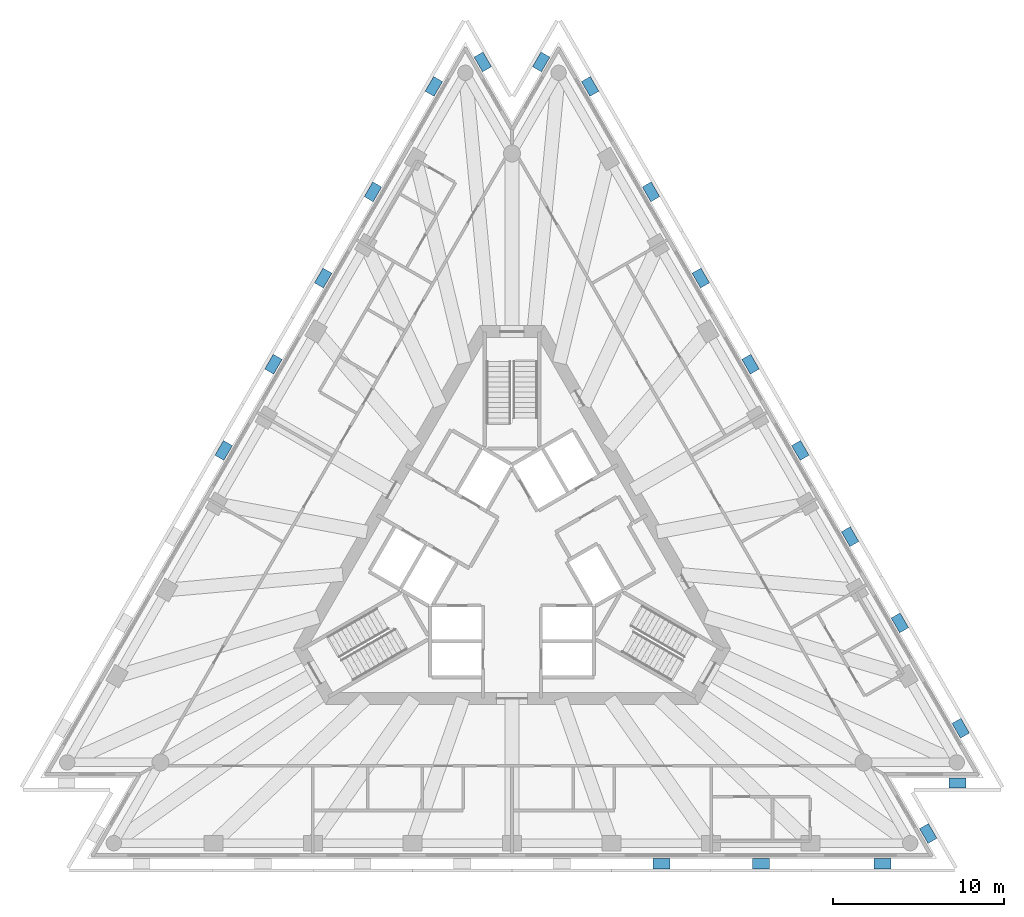
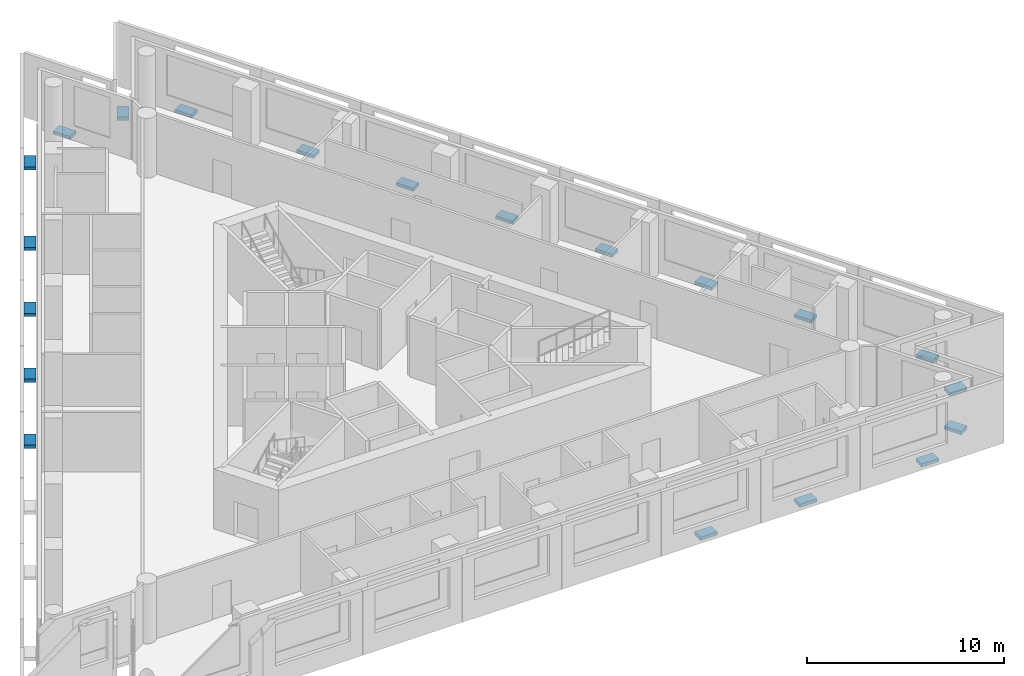
# One storey, part 8 of 10: 20 discrete accessories.
"""IFC4 building model written with IfcOpenShell, lengths in metres."""

from ifc_helpers import new_model, si_unit, direction, frame, origin, origin_2d, place, context, subcontext, project, spatial, rectangle, extrude, material, type_object, element, save


model = new_model("IFC4")

# Units and contexts
model_context = context("Model", 3, precision=1e-05, world=origin(), true_north=direction((0.0, 1.0)))
body_context = subcontext(model_context, "Body", "Model", "MODEL_VIEW")
ifc_project = project(units=[si_unit("LENGTHUNIT", "METRE"), si_unit("AREAUNIT", "SQUARE_METRE"), si_unit("VOLUMEUNIT", "CUBIC_METRE"), si_unit("PLANEANGLEUNIT", "RADIAN"), si_unit("MASSUNIT", "GRAM", prefix="KILO")], contexts=[model_context])

# Site, building, storey
site_placement = place(None, origin())
site = spatial("IfcSite", under=ifc_project, at=site_placement, CompositionType="ELEMENT")
building_placement = place(site_placement, origin())
building = spatial("IfcBuilding", under=site, at=building_placement, Name="Triada Interchange Tower", CompositionType="ELEMENT")
storey_placement = place(building_placement, frame((0.0, 0.0, 239.300048828125)))
storey = spatial("IfcBuildingStorey", under=building, at=storey_placement, Name="L56", CompositionType="ELEMENT", Elevation=239.300048828125)

# Discrete accessories
ifc_material = material(Name="Steel S355", Category="steel")
discrete_accessory_type = type_object("IfcDiscreteAccessoryType", Name="Steel bracket outer skin", PredefinedType="BRACKET", material=ifc_material)
for number, where, z_axis, x_axis, name in (
    (1, (-4.580078125, 27.716064453125, -0.27001953125), (0.0, 0.0, 1.0), (-0.866030360477, 0.499991414658, 0.0), "Bracket L56 01"),
    (2, (-8.14599609375, 21.5400390625, -0.27001953125), (0.0, 0.0, 1.0), (-0.866030360477, 0.499991414658, 0.0), "Bracket L56 02"),
    (3, (-11.06201171875, 16.489013671875, -0.27001953125), (0.0, 0.0, 1.0), (-0.866030360477, 0.499991414658, 0.0), "Bracket L56 03"),
    (4, (-13.97802734375, 11.43798828125, -0.27001953125), (0.0, 0.0, 1.0), (-0.866030360477, 0.499991414658, 0.0), "Bracket L56 04"),
    (5, (-16.89404296875, 6.385986328125, -0.27001953125), (0.0, 0.0, 1.0), (-0.866030360477, 0.499991414658, 0.0), "Bracket L56 05"),
    (6, (8.7490234375, -17.823974609375, -0.27001953125), (0.0, 0.0, 1.0), (0.0, -1.0, 0.0), "Bracket L56 16"),
    (7, (14.5810546875, -17.823974609375, -0.27001953125), (0.0, 0.0, 1.0), (0.0, -1.0, 0.0), "Bracket L56 17"),
    (8, (21.712890625, -17.823974609375, -0.27001953125), (0.0, 0.0, 1.0), (0.0, -1.0, 0.0), "Bracket L56 18"),
    (9, (24.388916015625, -16.05908203125, -0.27001953125), (0.0, 0.0, 1.0), (0.865981339585, 0.500076313667, 0.0), "Bracket L56 19"),
    (10, (26.10205078125, -13.093017578125, -0.27001953125), (0.0, 0.0, 1.0), (0.0, -1.0, 0.0), "Bracket L56 20"),
    (11, (26.29296875, -9.89208984375, -0.27001953125), (0.0, 0.0, 1.0), (0.866030360477, 0.499991414658, 0.0), "Bracket L56 21"),
    (12, (22.72705078125, -3.716064453125, -0.27001953125), (0.0, 0.0, 1.0), (0.866030360477, 0.499991414658, 0.0), "Bracket L56 22"),
    (13, (19.81103515625, 1.3349609375, -0.27001953125), (0.0, 0.0, 1.0), (0.866030360477, 0.499991414658, 0.0), "Bracket L56 23"),
    (14, (16.89404296875, 6.385986328125, -0.27001953125), (0.0, 0.0, 1.0), (0.866030360477, 0.499991414658, 0.0), "Bracket L56 24"),
    (15, (13.97802734375, 11.43798828125, -0.27001953125), (0.0, 0.0, 1.0), (0.866030360477, 0.499991414658, 0.0), "Bracket L56 25"),
    (16, (11.06201171875, 16.489013671875, -0.27001953125), (0.0, 0.0, 1.0), (0.866030360477, 0.499991414658, 0.0), "Bracket L56 26"),
    (17, (8.14599609375, 21.5400390625, -0.27001953125), (0.0, 0.0, 1.0), (0.866030360477, 0.499991414658, 0.0), "Bracket L56 27"),
    (18, (4.580078125, 27.716064453125, -0.27001953125), (0.0, 0.0, 1.0), (0.866030360477, 0.499991414658, 0.0), "Bracket L56 28"),
    (19, (1.7119140625, 29.15087890625, -0.27001953125), (0.0, 0.0, 1.0), (-0.866027105475, 0.499997052573, 0.0), "Bracket L56 29"),
    (20, (-1.7119140625, 29.15087890625, -0.27001953125), (0.0, 0.0, 1.0), (0.866027105475, 0.499997052573, 0.0), "Bracket L56 30"),
):
    element("IfcDiscreteAccessory", number, at=place(storey_placement, frame(where, z_axis=z_axis, x_axis=x_axis)), inside=storey, type_object=discrete_accessory_type, Name=name, PredefinedType="BRACKET", context=body_context, shape_type="SweptSolid", body=[
        extrude(rectangle(XDim=0.60009765625, YDim=1.0, at=origin_2d()), origin(), (0.0, 0.0, 1.0), 0.199951171875),
    ])

save(model, "model.ifc")
